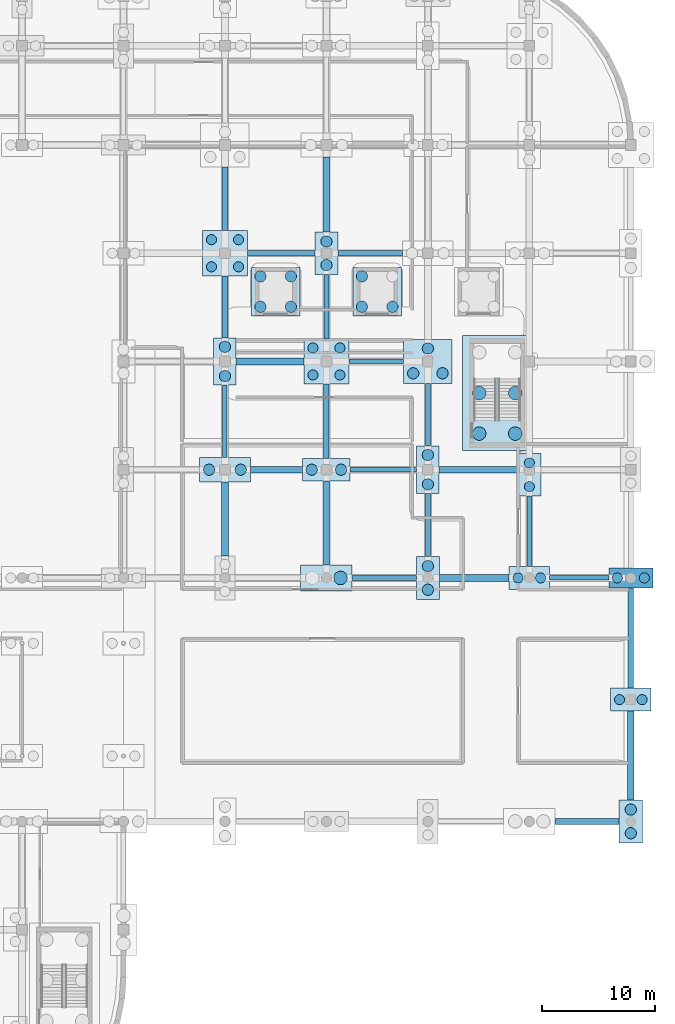
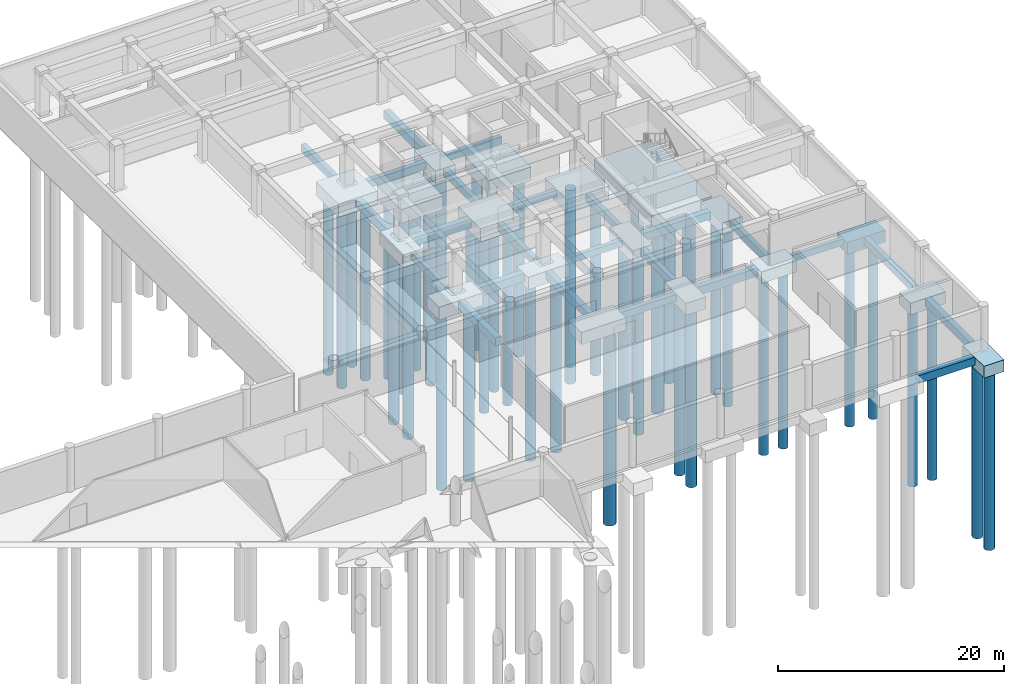
# One storey, part 6 of 47: 45 piles, 42 footings.
"""IFC4 building model written with IfcOpenShell, lengths in metres."""

from ifc_helpers import new_model, si_unit, direction, frame, origin, origin_2d, place, context, subcontext, project, spatial, rectangle, circle, extrude, material, material_profile, profile_set, type_object, element, save


model = new_model("IFC4")

# Units and contexts
model_context = context("Model", 3, precision=1e-05, world=origin(), true_north=direction((0.0, 1.0)))
body_context = subcontext(model_context, "Body", "Model", "MODEL_VIEW")
ifc_project = project(units=[si_unit("LENGTHUNIT", "METRE"), si_unit("AREAUNIT", "SQUARE_METRE"), si_unit("VOLUMEUNIT", "CUBIC_METRE"), si_unit("PLANEANGLEUNIT", "RADIAN"), si_unit("MASSUNIT", "GRAM", prefix="KILO")], contexts=[model_context])

# Site, building, storey
site_placement = place(None, origin())
site = spatial("IfcSite", under=ifc_project, at=site_placement, CompositionType="ELEMENT")
building_placement = place(site_placement, origin())
building = spatial("IfcBuilding", under=site, at=building_placement, Name="Cendralis Terraced Arcade", CompositionType="ELEMENT")
storey_placement = place(building_placement, frame((0.0, 0.0, -4.800048828125)))
storey = spatial("IfcBuildingStorey", under=building, at=storey_placement, Name="B1", CompositionType="ELEMENT", Elevation=-4.800048828125)

# Footings
ifc_material = material(Name="Concrete f'c 35 MPa", Category="concrete")
ifc_material_profile_1 = material_profile(ifc_material, rectangle(XDim=0.39990234375, YDim=0.699951171875, at=origin_2d()), Name="FB-400x700", Category="LoadBearing")
ifc_profile_set_1 = profile_set([ifc_material_profile_1], Name="Concrete f'c 35 MPa")
footing_type_1 = type_object("IfcFootingType", Name="FB-400x700", PredefinedType="FOOTING_BEAM", material=ifc_profile_set_1)
footing_1_placement = place(storey_placement, frame((159.0, 60.0, -0.800048828125), z_axis=(1.0, 0.0, 0.0), x_axis=(0.0, 1.0, 0.0)))
element("IfcFooting", 1, at=footing_1_placement, inside=storey, type_object=footing_type_1, Name="Reinforced Concrete Foundation Tie Beam FB-X-0079", PredefinedType="FOOTING_BEAM", context=body_context, shape_type="SweptSolid", body=[
    extrude(rectangle(XDim=0.39990234375, YDim=0.699951171875, at=origin_2d()), origin(), (0.0, 0.0, 1.0), 5.25),
])
footing_2_placement = place(storey_placement, frame((141.300048828125, 69.60009765625, -0.800048828125), z_axis=(1.0, 0.0, 0.0), x_axis=(0.0, 1.0, 0.0)))
element("IfcFooting", 2, at=footing_2_placement, inside=storey, type_object=footing_type_1, Name="Reinforced Concrete Foundation Tie Beam FB-X-0089", PredefinedType="FOOTING_BEAM", context=body_context, shape_type="SweptSolid", body=[
    extrude(rectangle(XDim=0.39990234375, YDim=0.699951171875, at=origin_2d()), origin(), (0.0, 0.0, 1.0), 5.89990234375),
])
footing_3_placement = place(storey_placement, frame((141.199951171875, 79.199951171875, -0.800048828125), z_axis=(1.0, 0.0, 0.0), x_axis=(0.0, 1.0, 0.0)))
element("IfcFooting", 3, at=footing_3_placement, inside=storey, type_object=footing_type_1, Name="Reinforced Concrete Foundation Tie Beam FB-X-0099", PredefinedType="FOOTING_BEAM", context=body_context, shape_type="SweptSolid", body=[
    extrude(rectangle(XDim=0.39990234375, YDim=0.699951171875, at=origin_2d()), origin(), (0.0, 0.0, 1.0), 4.85009765625),
])
footing_4_placement = place(storey_placement, frame((130.199951171875, 70.675048828125, -0.800048828125), z_axis=(0.0, 1.0, 0.0), x_axis=(-1.0, 0.0, 0.0)))
element("IfcFooting", 4, at=footing_4_placement, inside=storey, type_object=footing_type_1, Name="Reinforced Concrete Foundation Tie Beam FB-Y-0249", PredefinedType="FOOTING_BEAM", context=body_context, shape_type="SweptSolid", body=[
    extrude(rectangle(XDim=0.39990234375, YDim=0.699951171875, at=origin_2d()), origin(), (0.0, 0.0, 1.0), 6.425048828125),
])
ifc_material_profile_2 = material_profile(ifc_material, rectangle(XDim=0.449951171875, YDim=0.75, at=origin_2d()), Name="FB-450x750", Category="LoadBearing")
ifc_profile_set_2 = profile_set([ifc_material_profile_2], Name="Concrete f'c 35 MPa")
footing_type_2 = type_object("IfcFootingType", Name="FB-450x750", PredefinedType="FOOTING_BEAM", material=ifc_profile_set_2)
footing_5_placement = place(storey_placement, frame((141.47998046875, 60.0, -0.824951171875), z_axis=(1.0, 0.0, 0.0), x_axis=(0.0, 1.0, 0.0)))
element("IfcFooting", 5, at=footing_5_placement, inside=storey, type_object=footing_type_2, Name="Reinforced Concrete Foundation Tie Beam FB-X-0077", PredefinedType="FOOTING_BEAM", context=body_context, shape_type="SweptSolid", body=[
    extrude(rectangle(XDim=0.449951171875, YDim=0.75, at=origin_2d()), origin(), (0.0, 0.0, 1.0), 5.695068359375),
])
footing_6_placement = place(storey_placement, frame((140.22509765625, 88.800048828125, -0.824951171875), z_axis=(1.0, 0.0, 0.0), x_axis=(0.0, 1.0, 0.0)))
element("IfcFooting", 6, at=footing_6_placement, inside=storey, type_object=footing_type_2, Name="Reinforced Concrete Foundation Tie Beam FB-X-0107", PredefinedType="FOOTING_BEAM", context=body_context, shape_type="SweptSolid", body=[
    extrude(rectangle(XDim=0.449951171875, YDim=0.75, at=origin_2d()), origin(), (0.0, 0.0, 1.0), 5.724853515625),
])
footing_7_placement = place(storey_placement, frame((139.199951171875, 81.199951171875, -0.824951171875), z_axis=(0.0, 1.0, 0.0), x_axis=(-1.0, 0.0, 0.0)))
element("IfcFooting", 7, at=footing_7_placement, inside=storey, type_object=footing_type_2, Name="Reinforced Concrete Foundation Tie Beam FB-Y-0257", PredefinedType="FOOTING_BEAM", context=body_context, shape_type="SweptSolid", body=[
    extrude(rectangle(XDim=0.449951171875, YDim=0.75, at=origin_2d()), origin(), (0.0, 0.0, 1.0), 5.699951171875),
])
footing_8_placement = place(storey_placement, frame((148.199951171875, 71.699951171875, -0.824951171875), z_axis=(0.0, 1.0, 0.0), x_axis=(-1.0, 0.0, 0.0)))
element("IfcFooting", 8, at=footing_8_placement, inside=storey, type_object=footing_type_2, Name="Reinforced Concrete Foundation Tie Beam FB-Y-0262", PredefinedType="FOOTING_BEAM", context=body_context, shape_type="SweptSolid", body=[
    extrude(rectangle(XDim=0.449951171875, YDim=0.75, at=origin_2d()), origin(), (0.0, 0.0, 1.0), 5.550048828125),
])
footing_9_placement = place(storey_placement, frame((157.199951171875, 61.02490234375, -0.824951171875), z_axis=(0.0, 1.0, 0.0), x_axis=(-1.0, 0.0, 0.0)))
element("IfcFooting", 9, at=footing_9_placement, inside=storey, type_object=footing_type_2, Name="Reinforced Concrete Foundation Tie Beam FB-Y-0267", PredefinedType="FOOTING_BEAM", context=body_context, shape_type="SweptSolid", body=[
    extrude(rectangle(XDim=0.449951171875, YDim=0.75, at=origin_2d()), origin(), (0.0, 0.0, 1.0), 6.22509765625),
])
ifc_material_profile_3 = material_profile(ifc_material, rectangle(XDim=0.5, YDim=0.800048828125, at=origin_2d()), Name="FB-500x800", Category="LoadBearing")
ifc_profile_set_3 = profile_set([ifc_material_profile_3], Name="Concrete f'c 35 MPa")
footing_type_3 = type_object("IfcFootingType", Name="FB-500x800", PredefinedType="FOOTING_BEAM", material=ifc_profile_set_3)
footing_10_placement = place(storey_placement, frame((132.199951171875, 88.800048828125, -0.849853515625), z_axis=(1.0, 0.0, 0.0), x_axis=(0.0, 1.0, 0.0)))
element("IfcFooting", 10, at=footing_10_placement, inside=storey, type_object=footing_type_3, Name="Reinforced Concrete Foundation Tie Beam FB-X-0106", PredefinedType="FOOTING_BEAM", context=body_context, shape_type="SweptSolid", body=[
    extrude(rectangle(XDim=0.5, YDim=0.800048828125, at=origin_2d()), origin(), (0.0, 0.0, 1.0), 5.97509765625),
])
footing_11_placement = place(storey_placement, frame((130.199951171875, 90.800048828125, -0.849853515625), z_axis=(0.0, 1.0, 0.0), x_axis=(-1.0, 0.0, 0.0)))
element("IfcFooting", 11, at=footing_11_placement, inside=storey, type_object=footing_type_3, Name="Reinforced Concrete Foundation Tie Beam FB-Y-0251", PredefinedType="FOOTING_BEAM", context=body_context, shape_type="SweptSolid", body=[
    extrude(rectangle(XDim=0.5, YDim=0.800048828125, at=origin_2d()), origin(), (0.0, 0.0, 1.0), 5.64990234375),
])
footing_12_placement = place(storey_placement, frame((139.199951171875, 70.60009765625, -0.849853515625), z_axis=(0.0, 1.0, 0.0), x_axis=(-1.0, 0.0, 0.0)))
element("IfcFooting", 12, at=footing_12_placement, inside=storey, type_object=footing_type_3, Name="Reinforced Concrete Foundation Tie Beam FB-Y-0256", PredefinedType="FOOTING_BEAM", context=body_context, shape_type="SweptSolid", body=[
    extrude(rectangle(XDim=0.5, YDim=0.800048828125, at=origin_2d()), origin(), (0.0, 0.0, 1.0), 6.599853515625),
])
footing_13_placement = place(storey_placement, frame((148.199951171875, 61.89990234375, -0.849853515625), z_axis=(0.0, 1.0, 0.0), x_axis=(-1.0, 0.0, 0.0)))
element("IfcFooting", 13, at=footing_13_placement, inside=storey, type_object=footing_type_3, Name="Reinforced Concrete Foundation Tie Beam FB-Y-0261", PredefinedType="FOOTING_BEAM", context=body_context, shape_type="SweptSolid", body=[
    extrude(rectangle(XDim=0.5, YDim=0.800048828125, at=origin_2d()), origin(), (0.0, 0.0, 1.0), 5.60009765625),
])
footing_14_placement = place(storey_placement, frame((166.199951171875, 50.22509765625, -0.849853515625), z_axis=(0.0, 1.0, 0.0), x_axis=(-1.0, 0.0, 0.0)))
element("IfcFooting", 14, at=footing_14_placement, inside=storey, type_object=footing_type_3, Name="Reinforced Concrete Foundation Tie Beam FB-Y-0271", PredefinedType="FOOTING_BEAM", context=body_context, shape_type="SweptSolid", body=[
    extrude(rectangle(XDim=0.5, YDim=0.800048828125, at=origin_2d()), origin(), (0.0, 0.0, 1.0), 8.875),
])
ifc_material_profile_4 = material_profile(ifc_material, rectangle(XDim=0.550048828125, YDim=0.85009765625, at=origin_2d()), Name="FB-550x850", Category="LoadBearing")
ifc_profile_set_4 = profile_set([ifc_material_profile_4], Name="Concrete f'c 35 MPa")
footing_type_4 = type_object("IfcFootingType", Name="FB-550x850", PredefinedType="FOOTING_BEAM", material=ifc_profile_set_4)
footing_15_placement = place(storey_placement, frame((159.47998046875, 38.39990234375, -0.875), z_axis=(1.0, 0.0, 0.0), x_axis=(0.0, 1.0, 0.0)))
element("IfcFooting", 15, at=footing_15_placement, inside=storey, type_object=footing_type_4, Name="Reinforced Concrete Foundation Tie Beam FB-X-0055", PredefinedType="FOOTING_BEAM", context=body_context, shape_type="SweptSolid", body=[
    extrude(rectangle(XDim=0.550048828125, YDim=0.85009765625, at=origin_2d()), origin(), (0.0, 0.0, 1.0), 5.695068359375),
])
footing_16_placement = place(storey_placement, frame((149.199951171875, 69.60009765625, -0.875), z_axis=(1.0, 0.0, 0.0), x_axis=(0.0, 1.0, 0.0)))
element("IfcFooting", 16, at=footing_16_placement, inside=storey, type_object=footing_type_4, Name="Reinforced Concrete Foundation Tie Beam FB-X-0090", PredefinedType="FOOTING_BEAM", context=body_context, shape_type="SweptSolid", body=[
    extrude(rectangle(XDim=0.550048828125, YDim=0.85009765625, at=origin_2d()), origin(), (0.0, 0.0, 1.0), 6.97509765625),
])
footing_17_placement = place(storey_placement, frame((130.199951171875, 81.300048828125, -0.875), z_axis=(0.0, 1.0, 0.0), x_axis=(-1.0, 0.0, 0.0)))
element("IfcFooting", 17, at=footing_17_placement, inside=storey, type_object=footing_type_4, Name="Reinforced Concrete Foundation Tie Beam FB-Y-0250", PredefinedType="FOOTING_BEAM", context=body_context, shape_type="SweptSolid", body=[
    extrude(rectangle(XDim=0.550048828125, YDim=0.85009765625, at=origin_2d()), origin(), (0.0, 0.0, 1.0), 5.5),
])
footing_18_placement = place(storey_placement, frame((139.199951171875, 61.14990234375, -0.875), z_axis=(0.0, 1.0, 0.0), x_axis=(-1.0, 0.0, 0.0)))
element("IfcFooting", 18, at=footing_18_placement, inside=storey, type_object=footing_type_4, Name="Reinforced Concrete Foundation Tie Beam FB-Y-0255", PredefinedType="FOOTING_BEAM", context=body_context, shape_type="SweptSolid", body=[
    extrude(rectangle(XDim=0.550048828125, YDim=0.85009765625, at=origin_2d()), origin(), (0.0, 0.0, 1.0), 7.4501953125),
])
footing_19_placement = place(storey_placement, frame((166.199951171875, 40.300048828125, -0.875), z_axis=(0.0, 1.0, 0.0), x_axis=(-1.0, 0.0, 0.0)))
element("IfcFooting", 19, at=footing_19_placement, inside=storey, type_object=footing_type_4, Name="Reinforced Concrete Foundation Tie Beam FB-Y-0270", PredefinedType="FOOTING_BEAM", context=body_context, shape_type="SweptSolid", body=[
    extrude(rectangle(XDim=0.550048828125, YDim=0.85009765625, at=origin_2d()), origin(), (0.0, 0.0, 1.0), 7.875),
])
ifc_material_profile_5 = material_profile(ifc_material, rectangle(XDim=0.60009765625, YDim=0.89990234375, at=origin_2d()), Name="FB-600x900", Category="LoadBearing")
ifc_profile_set_5 = profile_set([ifc_material_profile_5], Name="Concrete f'c 35 MPa")
footing_type_5 = type_object("IfcFootingType", Name="FB-600x900", PredefinedType="FOOTING_BEAM", material=ifc_profile_set_5)
footing_20_placement = place(storey_placement, frame((149.22509765625, 60.0, -0.89990234375), z_axis=(1.0, 0.0, 0.0), x_axis=(0.0, 1.0, 0.0)))
element("IfcFooting", 20, at=footing_20_placement, inside=storey, type_object=footing_type_5, Name="Reinforced Concrete Foundation Tie Beam FB-X-0078", PredefinedType="FOOTING_BEAM", context=body_context, shape_type="SweptSolid", body=[
    extrude(rectangle(XDim=0.60009765625, YDim=0.89990234375, at=origin_2d()), origin(), (0.0, 0.0, 1.0), 6.1748046875),
])
footing_21_placement = place(storey_placement, frame((132.449951171875, 69.60009765625, -0.89990234375), z_axis=(1.0, 0.0, 0.0), x_axis=(0.0, 1.0, 0.0)))
element("IfcFooting", 21, at=footing_21_placement, inside=storey, type_object=footing_type_5, Name="Reinforced Concrete Foundation Tie Beam FB-X-0088", PredefinedType="FOOTING_BEAM", context=body_context, shape_type="SweptSolid", body=[
    extrude(rectangle(XDim=0.60009765625, YDim=0.89990234375, at=origin_2d()), origin(), (0.0, 0.0, 1.0), 4.650146484375),
])
footing_22_placement = place(storey_placement, frame((131.199951171875, 79.199951171875, -0.89990234375), z_axis=(1.0, 0.0, 0.0), x_axis=(0.0, 1.0, 0.0)))
element("IfcFooting", 22, at=footing_22_placement, inside=storey, type_object=footing_type_5, Name="Reinforced Concrete Foundation Tie Beam FB-X-0098", PredefinedType="FOOTING_BEAM", context=body_context, shape_type="SweptSolid", body=[
    extrude(rectangle(XDim=0.60009765625, YDim=0.89990234375, at=origin_2d()), origin(), (0.0, 0.0, 1.0), 6.0),
])
footing_23_placement = place(storey_placement, frame((130.199951171875, 61.949951171875, -0.89990234375), z_axis=(0.0, 1.0, 0.0), x_axis=(-1.0, 0.0, 0.0)))
element("IfcFooting", 23, at=footing_23_placement, inside=storey, type_object=footing_type_5, Name="Reinforced Concrete Foundation Tie Beam FB-Y-0248", PredefinedType="FOOTING_BEAM", context=body_context, shape_type="SweptSolid", body=[
    extrude(rectangle(XDim=0.60009765625, YDim=0.89990234375, at=origin_2d()), origin(), (0.0, 0.0, 1.0), 6.574951171875),
])
footing_24_placement = place(storey_placement, frame((139.199951171875, 90.699951171875, -0.89990234375), z_axis=(0.0, 1.0, 0.0), x_axis=(-1.0, 0.0, 0.0)))
element("IfcFooting", 24, at=footing_24_placement, inside=storey, type_object=footing_type_5, Name="Reinforced Concrete Foundation Tie Beam FB-Y-0258", PredefinedType="FOOTING_BEAM", context=body_context, shape_type="SweptSolid", body=[
    extrude(rectangle(XDim=0.60009765625, YDim=0.89990234375, at=origin_2d()), origin(), (0.0, 0.0, 1.0), 6.625),
])
footing_type_6 = type_object("IfcFootingType", Name="PC-2P-2000x4200x1350", PredefinedType="PILE_CAP", material=ifc_material)
for number, where, z_axis, x_axis, name in (
    (25, (130.199951171875, 79.199951171875, -1.800048828125), (0.0, 0.0, 1.0), (1.0, 0.0, 0.0), "Reinforced Concrete Bored Pile Cap CAP-G15-J"),
    (26, (148.199951171875, 69.60009765625, -1.800048828125), (0.0, 0.0, 1.0), (1.0, 0.0, 0.0), "Reinforced Concrete Bored Pile Cap CAP-G17-H"),
):
    element("IfcFooting", number, at=place(storey_placement, frame(where, z_axis=z_axis, x_axis=x_axis)), inside=storey, type_object=footing_type_6, Name=name, PredefinedType="PILE_CAP", context=body_context, shape_type="SweptSolid", body=[
        extrude(rectangle(XDim=2.0, YDim=4.199951171875, at=origin_2d()), origin(), (0.0, 0.0, 1.0), 1.35009765625),
    ])
footing_type_7 = type_object("IfcFootingType", Name="PC-2P-2050x3800x1280", PredefinedType="PILE_CAP", material=ifc_material)
for number, where, z_axis, x_axis, name in (
    (27, (139.199951171875, 88.800048828125, -1.72998046875), (0.0, 0.0, 1.0), (1.0, 0.0, 0.0), "Reinforced Concrete Bored Pile Cap CAP-G16-K"),
    (28, (148.199951171875, 60.0, -1.72998046875), (0.0, 0.0, 1.0), (1.0, 0.0, 0.0), "Reinforced Concrete Bored Pile Cap CAP-G17-G"),
    (29, (157.199951171875, 69.14990234375, -1.72998046875), (0.0, 0.0, 1.0), (1.0, 0.0, 0.0), "Reinforced Concrete Bored Pile Cap CAP-G18-H"),
    (30, (166.199951171875, 38.39990234375, -1.72998046875), (0.0, 0.0, 1.0), (1.0, 0.0, 0.0), "Reinforced Concrete Bored Pile Cap CAP-G19-E"),
):
    element("IfcFooting", number, at=place(storey_placement, frame(where, z_axis=z_axis, x_axis=x_axis)), inside=storey, type_object=footing_type_7, Name=name, PredefinedType="PILE_CAP", context=body_context, shape_type="SweptSolid", body=[
        extrude(rectangle(XDim=2.050048828125, YDim=3.800048828125, at=origin_2d()), origin(), (0.0, 0.0, 1.0), 1.280029296875),
    ])
footing_type_8 = type_object("IfcFootingType", Name="PC-2P-3600x2050x1260", PredefinedType="PILE_CAP", material=ifc_material)
for number, where, z_axis, x_axis, name in (
    (31, (157.199951171875, 60.0, -1.7099609375), (0.0, 0.0, 1.0), (1.0, 0.0, 0.0), "Reinforced Concrete Bored Pile Cap CAP-G18-G"),
    (32, (166.199951171875, 49.199951171875, -1.7099609375), (0.0, 0.0, 1.0), (1.0, 0.0, 0.0), "Reinforced Concrete Bored Pile Cap CAP-G19-F"),
):
    element("IfcFooting", number, at=place(storey_placement, frame(where, z_axis=z_axis, x_axis=x_axis)), inside=storey, type_object=footing_type_8, Name=name, PredefinedType="PILE_CAP", context=body_context, shape_type="SweptSolid", body=[
        extrude(rectangle(XDim=3.60009765625, YDim=2.050048828125, at=origin_2d()), origin(), (0.0, 0.0, 1.0), 1.260009765625),
    ])
footing_type_9 = type_object("IfcFootingType", Name="PC-2P-3900x1800x1300", PredefinedType="PILE_CAP", material=ifc_material)
footing_25_placement = place(storey_placement, frame((166.199951171875, 60.0, -1.75), z_axis=(0.0, 0.0, 1.0), x_axis=(1.0, 0.0, 0.0)))
element("IfcFooting", 33, at=footing_25_placement, inside=storey, type_object=footing_type_9, Name="Reinforced Concrete Bored Pile Cap CAP-G19-G", PredefinedType="PILE_CAP", context=body_context, shape_type="SweptSolid", body=[
    extrude(rectangle(XDim=3.89990234375, YDim=1.800048828125, at=origin_2d()), origin(), (0.0, 0.0, 1.0), 1.300048828125),
])
footing_type_10 = type_object("IfcFootingType", Name="PC-2P-4200x2000x1350", PredefinedType="PILE_CAP", material=ifc_material)
footing_26_placement = place(storey_placement, frame((139.199951171875, 69.60009765625, -1.800048828125), z_axis=(0.0, 0.0, 1.0), x_axis=(1.0, 0.0, 0.0)))
element("IfcFooting", 34, at=footing_26_placement, inside=storey, type_object=footing_type_10, Name="Reinforced Concrete Bored Pile Cap CAP-G16-H", PredefinedType="PILE_CAP", context=body_context, shape_type="SweptSolid", body=[
    extrude(rectangle(XDim=4.199951171875, YDim=2.0, at=origin_2d()), origin(), (0.0, 0.0, 1.0), 1.35009765625),
])
footing_type_11 = type_object("IfcFootingType", Name="PC-2P-4500x2150x1380", PredefinedType="PILE_CAP", material=ifc_material)
footing_27_placement = place(storey_placement, frame((130.199951171875, 69.60009765625, -1.829833984375), z_axis=(0.0, 0.0, 1.0), x_axis=(1.0, 0.0, 0.0)))
element("IfcFooting", 35, at=footing_27_placement, inside=storey, type_object=footing_type_11, Name="Reinforced Concrete Bored Pile Cap CAP-G15-H", PredefinedType="PILE_CAP", context=body_context, shape_type="SweptSolid", body=[
    extrude(rectangle(XDim=4.5, YDim=2.14990234375, at=origin_2d()), origin(), (0.0, 0.0, 1.0), 1.3798828125),
])
footing_type_12 = type_object("IfcFootingType", Name="PC-2P-4560x2300x1320", PredefinedType="PILE_CAP", material=ifc_material)
footing_28_placement = place(storey_placement, frame((139.199951171875, 60.0, -1.77001953125), z_axis=(0.0, 0.0, 1.0), x_axis=(1.0, 0.0, 0.0)))
element("IfcFooting", 36, at=footing_28_placement, inside=storey, type_object=footing_type_12, Name="Reinforced Concrete Bored Pile Cap CAP-G16-G", PredefinedType="PILE_CAP", context=body_context, shape_type="SweptSolid", body=[
    extrude(rectangle(XDim=4.56005859375, YDim=2.300048828125, at=origin_2d()), origin(), (0.0, 0.0, 1.0), 1.320068359375),
])
footing_type_13 = type_object("IfcFootingType", Name="PC-3P-4300x3900x1400", PredefinedType="PILE_CAP", material=ifc_material)
footing_29_placement = place(storey_placement, frame((148.199951171875, 79.199951171875, -1.849853515625), z_axis=(0.0, 0.0, 1.0), x_axis=(1.0, 0.0, 0.0)))
element("IfcFooting", 37, at=footing_29_placement, inside=storey, type_object=footing_type_13, Name="Reinforced Concrete Bored Pile Cap CAP-G17-J", PredefinedType="PILE_CAP", context=body_context, shape_type="SweptSolid", body=[
    extrude(rectangle(XDim=4.300048828125, YDim=3.89990234375, at=origin_2d()), origin(), (0.0, 0.0, 1.0), 1.39990234375),
])
footing_type_14 = type_object("IfcFootingType", Name="PC-4P-4000x4000x1450", PredefinedType="PILE_CAP", material=ifc_material)
for number, where, z_axis, x_axis, name in (
    (38, (130.199951171875, 88.800048828125, -1.89990234375), (0.0, 0.0, 1.0), (1.0, 0.0, 0.0), "Reinforced Concrete Bored Pile Cap CAP-G15-K"),
    (39, (139.199951171875, 79.199951171875, -1.89990234375), (0.0, 0.0, 1.0), (1.0, 0.0, 0.0), "Reinforced Concrete Bored Pile Cap CAP-G16-J"),
):
    element("IfcFooting", number, at=place(storey_placement, frame(where, z_axis=z_axis, x_axis=x_axis)), inside=storey, type_object=footing_type_14, Name=name, PredefinedType="PILE_CAP", context=body_context, shape_type="SweptSolid", body=[
        extrude(rectangle(XDim=4.0, YDim=4.0, at=origin_2d()), origin(), (0.0, 0.0, 1.0), 1.449951171875),
    ])
footing_type_15 = type_object("IfcFootingType", Name="PC-4P-4300x4300x1480", PredefinedType="PILE_CAP", material=ifc_material)
for number, where, z_axis, x_axis, name in (
    (40, (134.699951171875, 85.39990234375, -1.929931640625), (0.0, 0.0, 1.0), (1.0, 0.0, 0.0), "Reinforced Concrete Bored Pile Cap CAP-GL-01"),
    (41, (143.699951171875, 85.39990234375, -1.929931640625), (0.0, 0.0, 1.0), (1.0, 0.0, 0.0), "Reinforced Concrete Bored Pile Cap CAP-GL-02"),
):
    element("IfcFooting", number, at=place(storey_placement, frame(where, z_axis=z_axis, x_axis=x_axis)), inside=storey, type_object=footing_type_15, Name=name, PredefinedType="PILE_CAP", context=body_context, shape_type="SweptSolid", body=[
        extrude(rectangle(XDim=4.300048828125, YDim=4.300048828125, at=origin_2d()), origin(), (0.0, 0.0, 1.0), 1.47998046875),
    ])
footing_type_16 = type_object("IfcFootingType", Name="PC-CORE-6200x10200x1600", PredefinedType="PILE_CAP", material=ifc_material)
footing_30_placement = place(storey_placement, frame((154.35009765625, 76.39990234375, -2.050048828125), z_axis=(0.0, 0.0, 1.0), x_axis=(1.0, 0.0, 0.0)))
element("IfcFooting", 42, at=footing_30_placement, inside=storey, type_object=footing_type_16, Name="Reinforced Concrete Bored Pile Cap CAP-ST-06", PredefinedType="PILE_CAP", context=body_context, shape_type="SweptSolid", body=[
    extrude(rectangle(XDim=6.199951171875, YDim=10.199951171875, at=origin_2d()), origin(), (0.0, 0.0, 1.0), 1.60009765625),
])

# Piles
ifc_material_profile_6 = material_profile(ifc_material, circle(Radius=0.5, at=origin_2d()), Name="PILE-D1000", Category="LoadBearing")
ifc_profile_set_6 = profile_set([ifc_material_profile_6], Name="Concrete f'c 35 MPa")
pile_type_1 = type_object("IfcPileType", Name="PILE-1000", PredefinedType="BORED", material=ifc_profile_set_6)
for number, where, z_axis, x_axis, name in (
    (43, (133.35009765625, 84.050048828125, -1.829833984375), (0.0, 0.0, -1.0), (1.0, 0.0, 0.0), "Bored Concrete Pile PILE-C-CAP-GL-01-4--135_-135"),
    (44, (136.050048828125, 84.050048828125, -1.829833984375), (0.0, 0.0, -1.0), (1.0, 0.0, 0.0), "Bored Concrete Pile PILE-C-CAP-GL-01-4-135_-135"),
    (45, (133.35009765625, 86.75, -1.829833984375), (0.0, 0.0, -1.0), (1.0, 0.0, 0.0), "Bored Concrete Pile PILE-C-CAP-GL-01-4--135_135"),
    (46, (136.050048828125, 86.75, -1.829833984375), (0.0, 0.0, -1.0), (1.0, 0.0, 0.0), "Bored Concrete Pile PILE-C-CAP-GL-01-4-135_135"),
    (47, (142.35009765625, 84.050048828125, -1.829833984375), (0.0, 0.0, -1.0), (1.0, 0.0, 0.0), "Bored Concrete Pile PILE-C-CAP-GL-02-4--135_-135"),
    (48, (145.050048828125, 84.050048828125, -1.829833984375), (0.0, 0.0, -1.0), (1.0, 0.0, 0.0), "Bored Concrete Pile PILE-C-CAP-GL-02-4-135_-135"),
    (49, (142.35009765625, 86.75, -1.829833984375), (0.0, 0.0, -1.0), (1.0, 0.0, 0.0), "Bored Concrete Pile PILE-C-CAP-GL-02-4--135_135"),
):
    element("IfcPile", number, at=place(storey_placement, frame(where, z_axis=z_axis, x_axis=x_axis)), inside=storey, type_object=pile_type_1, Name=name, PredefinedType="BORED", context=body_context, shape_type="SweptSolid", body=[
        extrude(circle(Radius=0.5, at=origin_2d()), origin(), (0.0, 0.0, 1.0), 19.070068359375),
    ])
for number, where, z_axis, x_axis, name in (
    (50, (128.800048828125, 69.60009765625, -1.72998046875), (0.0, 0.0, -1.0), (1.0, 0.0, 0.0), "Bored Concrete Pile PILE-C-CAP-G15-H-2--140_0"),
    (51, (131.60009765625, 69.60009765625, -1.72998046875), (0.0, 0.0, -1.0), (1.0, 0.0, 0.0), "Bored Concrete Pile PILE-C-CAP-G15-H-2-140_0"),
):
    element("IfcPile", number, at=place(storey_placement, frame(where, z_axis=z_axis, x_axis=x_axis)), inside=storey, type_object=pile_type_1, Name=name, PredefinedType="BORED", context=body_context, shape_type="SweptSolid", body=[
        extrude(circle(Radius=0.5, at=origin_2d()), origin(), (0.0, 0.0, 1.0), 19.169921875),
    ])
for number, where, z_axis, x_axis, name in (
    (52, (130.199951171875, 77.89990234375, -1.699951171875), (0.0, 0.0, -1.0), (1.0, 0.0, 0.0), "Bored Concrete Pile PILE-C-CAP-G15-J-2-0_-130"),
    (53, (130.199951171875, 80.5, -1.699951171875), (0.0, 0.0, -1.0), (1.0, 0.0, 0.0), "Bored Concrete Pile PILE-C-CAP-G15-J-2-0_130"),
    (54, (137.89990234375, 69.60009765625, -1.699951171875), (0.0, 0.0, -1.0), (1.0, 0.0, 0.0), "Bored Concrete Pile PILE-C-CAP-G16-H-2--130_0"),
    (55, (140.5, 69.60009765625, -1.699951171875), (0.0, 0.0, -1.0), (1.0, 0.0, 0.0), "Bored Concrete Pile PILE-C-CAP-G16-H-2-130_0"),
):
    element("IfcPile", number, at=place(storey_placement, frame(where, z_axis=z_axis, x_axis=x_axis)), inside=storey, type_object=pile_type_1, Name=name, PredefinedType="BORED", context=body_context, shape_type="SweptSolid", body=[
        extrude(circle(Radius=0.5, at=origin_2d()), origin(), (0.0, 0.0, 1.0), 19.199951171875),
    ])
for number, where, z_axis, x_axis, name in (
    (56, (139.199951171875, 87.75, -1.6298828125), (0.0, 0.0, -1.0), (1.0, 0.0, 0.0), "Bored Concrete Pile PILE-C-CAP-G16-K-1-0_-105"),
    (57, (139.199951171875, 89.85009765625, -1.6298828125), (0.0, 0.0, -1.0), (1.0, 0.0, 0.0), "Bored Concrete Pile PILE-B-CAP-G16-K-1"),
    (58, (148.199951171875, 58.949951171875, -1.6298828125), (0.0, 0.0, -1.0), (1.0, 0.0, 0.0), "Bored Concrete Pile PILE-C-CAP-G17-G-1-0_-105"),
    (59, (148.199951171875, 61.050048828125, -1.6298828125), (0.0, 0.0, -1.0), (1.0, 0.0, 0.0), "Bored Concrete Pile PILE-B-CAP-G17-G-1"),
):
    element("IfcPile", number, at=place(storey_placement, frame(where, z_axis=z_axis, x_axis=x_axis)), inside=storey, type_object=pile_type_1, Name=name, PredefinedType="BORED", context=body_context, shape_type="SweptSolid", body=[
        extrude(circle(Radius=0.5, at=origin_2d()), origin(), (0.0, 0.0, 1.0), 19.27001953125),
    ])
for number, where, z_axis, x_axis, name in (
    (60, (148.199951171875, 68.300048828125, -1.699951171875), (0.0, 0.0, -1.0), (1.0, 0.0, 0.0), "Bored Concrete Pile PILE-C-CAP-G17-H-2-0_-130"),
    (61, (148.199951171875, 70.89990234375, -1.699951171875), (0.0, 0.0, -1.0), (1.0, 0.0, 0.0), "Bored Concrete Pile PILE-C-CAP-G17-H-2-0_130"),
):
    element("IfcPile", number, at=place(storey_placement, frame(where, z_axis=z_axis, x_axis=x_axis)), inside=storey, type_object=pile_type_1, Name=name, PredefinedType="BORED", context=body_context, shape_type="SweptSolid", body=[
        extrude(circle(Radius=0.5, at=origin_2d()), origin(), (0.0, 0.0, 1.0), 19.199951171875),
    ])
for number, where, z_axis, x_axis, name in (
    (62, (146.89990234375, 78.14990234375, -1.75), (0.0, 0.0, -1.0), (1.0, 0.0, 0.0), "Bored Concrete Pile PILE-C-CAP-G17-J-3--130_-105"),
    (63, (149.5, 78.14990234375, -1.75), (0.0, 0.0, -1.0), (1.0, 0.0, 0.0), "Bored Concrete Pile PILE-C-CAP-G17-J-3-130_-105"),
    (64, (148.199951171875, 80.35009765625, -1.75), (0.0, 0.0, -1.0), (1.0, 0.0, 0.0), "Bored Concrete Pile PILE-C-CAP-G17-J-3-0_115"),
):
    element("IfcPile", number, at=place(storey_placement, frame(where, z_axis=z_axis, x_axis=x_axis)), inside=storey, type_object=pile_type_1, Name=name, PredefinedType="BORED", context=body_context, shape_type="SweptSolid", body=[
        extrude(circle(Radius=0.5, at=origin_2d()), origin(), (0.0, 0.0, 1.0), 19.14990234375),
    ])
for number, where, z_axis, x_axis, name in (
    (65, (166.199951171875, 37.35009765625, -1.6298828125), (0.0, 0.0, -1.0), (1.0, 0.0, 0.0), "Bored Concrete Pile PILE-C-CAP-G19-E-1-0_-105"),
    (66, (166.199951171875, 39.449951171875, -1.6298828125), (0.0, 0.0, -1.0), (1.0, 0.0, 0.0), "Bored Concrete Pile PILE-B-CAP-G19-E-1"),
):
    element("IfcPile", number, at=place(storey_placement, frame(where, z_axis=z_axis, x_axis=x_axis)), inside=storey, type_object=pile_type_1, Name=name, PredefinedType="BORED", context=body_context, shape_type="SweptSolid", body=[
        extrude(circle(Radius=0.5, at=origin_2d()), origin(), (0.0, 0.0, 1.0), 19.27001953125),
    ])
ifc_material_profile_7 = material_profile(ifc_material, circle(Radius=0.60009765625, at=origin_2d()), Name="PILE-D1200", Category="LoadBearing")
ifc_profile_set_7 = profile_set([ifc_material_profile_7], Name="Concrete f'c 35 MPa")
pile_type_2 = type_object("IfcPileType", Name="PILE-1200", PredefinedType="BORED", material=ifc_profile_set_7)
for number, where, z_axis, x_axis, name in (
    (67, (152.75, 72.800048828125, -1.949951171875), (0.0, 0.0, -1.0), (1.0, 0.0, 0.0), "Bored Concrete Pile PILE-C-CAP-ST-06-6--160_-360"),
    (68, (155.949951171875, 72.800048828125, -1.949951171875), (0.0, 0.0, -1.0), (1.0, 0.0, 0.0), "Bored Concrete Pile PILE-C-CAP-ST-06-6-160_-360"),
    (69, (152.75, 76.39990234375, -1.949951171875), (0.0, 0.0, -1.0), (1.0, 0.0, 0.0), "Bored Concrete Pile PILE-C-CAP-ST-06-6--160_0"),
    (70, (155.949951171875, 76.39990234375, -1.949951171875), (0.0, 0.0, -1.0), (1.0, 0.0, 0.0), "Bored Concrete Pile PILE-C-CAP-ST-06-6-160_0"),
):
    element("IfcPile", number, at=place(storey_placement, frame(where, z_axis=z_axis, x_axis=x_axis)), inside=storey, type_object=pile_type_2, Name=name, PredefinedType="BORED", context=body_context, shape_type="SweptSolid", body=[
        extrude(circle(Radius=0.60009765625, at=origin_2d()), origin(), (0.0, 0.0, 1.0), 20.949951171875),
    ])
pile_placement = place(storey_placement, frame((140.449951171875, 60.0, -1.669921875), z_axis=(0.0, 0.0, -1.0), x_axis=(1.0, 0.0, 0.0)))
element("IfcPile", 71, at=pile_placement, inside=storey, type_object=pile_type_2, Name="Bored Concrete Pile PILE-B-CAP-G16-G-1", PredefinedType="BORED", context=body_context, shape_type="SweptSolid", body=[
    extrude(circle(Radius=0.60009765625, at=origin_2d()), origin(), (0.0, 0.0, 1.0), 21.22998046875),
])
ifc_material_profile_8 = material_profile(ifc_material, circle(Radius=0.449951171875, at=origin_2d()), Name="PILE-D900", Category="LoadBearing")
ifc_profile_set_8 = profile_set([ifc_material_profile_8], Name="Concrete f'c 35 MPa")
pile_type_3 = type_object("IfcPileType", Name="PILE-900", PredefinedType="BORED", material=ifc_profile_set_8)
for number, where, z_axis, x_axis, name in (
    (72, (129.0, 87.60009765625, -1.800048828125), (0.0, 0.0, -1.0), (1.0, 0.0, 0.0), "Bored Concrete Pile PILE-C-CAP-G15-K-4--120_-120"),
    (73, (131.39990234375, 87.60009765625, -1.800048828125), (0.0, 0.0, -1.0), (1.0, 0.0, 0.0), "Bored Concrete Pile PILE-C-CAP-G15-K-4-120_-120"),
    (74, (129.0, 90.0, -1.800048828125), (0.0, 0.0, -1.0), (1.0, 0.0, 0.0), "Bored Concrete Pile PILE-C-CAP-G15-K-4--120_120"),
    (75, (131.39990234375, 90.0, -1.800048828125), (0.0, 0.0, -1.0), (1.0, 0.0, 0.0), "Bored Concrete Pile PILE-C-CAP-G15-K-4-120_120"),
    (76, (138.0, 78.0, -1.800048828125), (0.0, 0.0, -1.0), (1.0, 0.0, 0.0), "Bored Concrete Pile PILE-C-CAP-G16-J-4--120_-120"),
    (77, (140.39990234375, 78.0, -1.800048828125), (0.0, 0.0, -1.0), (1.0, 0.0, 0.0), "Bored Concrete Pile PILE-C-CAP-G16-J-4-120_-120"),
    (78, (138.0, 80.39990234375, -1.800048828125), (0.0, 0.0, -1.0), (1.0, 0.0, 0.0), "Bored Concrete Pile PILE-C-CAP-G16-J-4--120_120"),
    (79, (140.39990234375, 80.39990234375, -1.800048828125), (0.0, 0.0, -1.0), (1.0, 0.0, 0.0), "Bored Concrete Pile PILE-C-CAP-G16-J-4-120_120"),
):
    element("IfcPile", number, at=place(storey_placement, frame(where, z_axis=z_axis, x_axis=x_axis)), inside=storey, type_object=pile_type_3, Name=name, PredefinedType="BORED", context=body_context, shape_type="SweptSolid", body=[
        extrude(circle(Radius=0.449951171875, at=origin_2d()), origin(), (0.0, 0.0, 1.0), 19.10009765625),
    ])
for number, where, z_axis, x_axis, name in (
    (80, (156.199951171875, 60.0, -1.60986328125), (0.0, 0.0, -1.0), (1.0, 0.0, 0.0), "Bored Concrete Pile PILE-C-CAP-G18-G-1--100_0"),
    (81, (158.199951171875, 60.0, -1.60986328125), (0.0, 0.0, -1.0), (1.0, 0.0, 0.0), "Bored Concrete Pile PILE-B-CAP-G18-G-1"),
):
    element("IfcPile", number, at=place(storey_placement, frame(where, z_axis=z_axis, x_axis=x_axis)), inside=storey, type_object=pile_type_3, Name=name, PredefinedType="BORED", context=body_context, shape_type="SweptSolid", body=[
        extrude(circle(Radius=0.449951171875, at=origin_2d()), origin(), (0.0, 0.0, 1.0), 19.2900390625),
    ])
for number, where, z_axis, x_axis, name in (
    (82, (157.199951171875, 68.10009765625, -1.6298828125), (0.0, 0.0, -1.0), (1.0, 0.0, 0.0), "Bored Concrete Pile PILE-C-CAP-G18-H-1-0_-105"),
    (83, (157.199951171875, 70.199951171875, -1.6298828125), (0.0, 0.0, -1.0), (1.0, 0.0, 0.0), "Bored Concrete Pile PILE-B-CAP-G18-H-1"),
):
    element("IfcPile", number, at=place(storey_placement, frame(where, z_axis=z_axis, x_axis=x_axis)), inside=storey, type_object=pile_type_3, Name=name, PredefinedType="BORED", context=body_context, shape_type="SweptSolid", body=[
        extrude(circle(Radius=0.449951171875, at=origin_2d()), origin(), (0.0, 0.0, 1.0), 19.27001953125),
    ])
for number, where, z_axis, x_axis, name in (
    (84, (165.199951171875, 49.199951171875, -1.60986328125), (0.0, 0.0, -1.0), (1.0, 0.0, 0.0), "Bored Concrete Pile PILE-C-CAP-G19-F-1--100_0"),
    (85, (167.199951171875, 49.199951171875, -1.60986328125), (0.0, 0.0, -1.0), (1.0, 0.0, 0.0), "Bored Concrete Pile PILE-B-CAP-G19-F-1"),
):
    element("IfcPile", number, at=place(storey_placement, frame(where, z_axis=z_axis, x_axis=x_axis)), inside=storey, type_object=pile_type_3, Name=name, PredefinedType="BORED", context=body_context, shape_type="SweptSolid", body=[
        extrude(circle(Radius=0.449951171875, at=origin_2d()), origin(), (0.0, 0.0, 1.0), 19.2900390625),
    ])
for number, where, z_axis, x_axis, name in (
    (86, (165.0, 60.0, -1.64990234375), (0.0, 0.0, -1.0), (1.0, 0.0, 0.0), "Bored Concrete Pile PILE-C-CAP-G19-G-2--120_0"),
    (87, (167.39990234375, 60.0, -1.64990234375), (0.0, 0.0, -1.0), (1.0, 0.0, 0.0), "Bored Concrete Pile PILE-C-CAP-G19-G-2-120_0"),
):
    element("IfcPile", number, at=place(storey_placement, frame(where, z_axis=z_axis, x_axis=x_axis)), inside=storey, type_object=pile_type_3, Name=name, PredefinedType="BORED", context=body_context, shape_type="SweptSolid", body=[
        extrude(circle(Radius=0.449951171875, at=origin_2d()), origin(), (0.0, 0.0, 1.0), 19.25),
    ])

save(model, "model.ifc")
